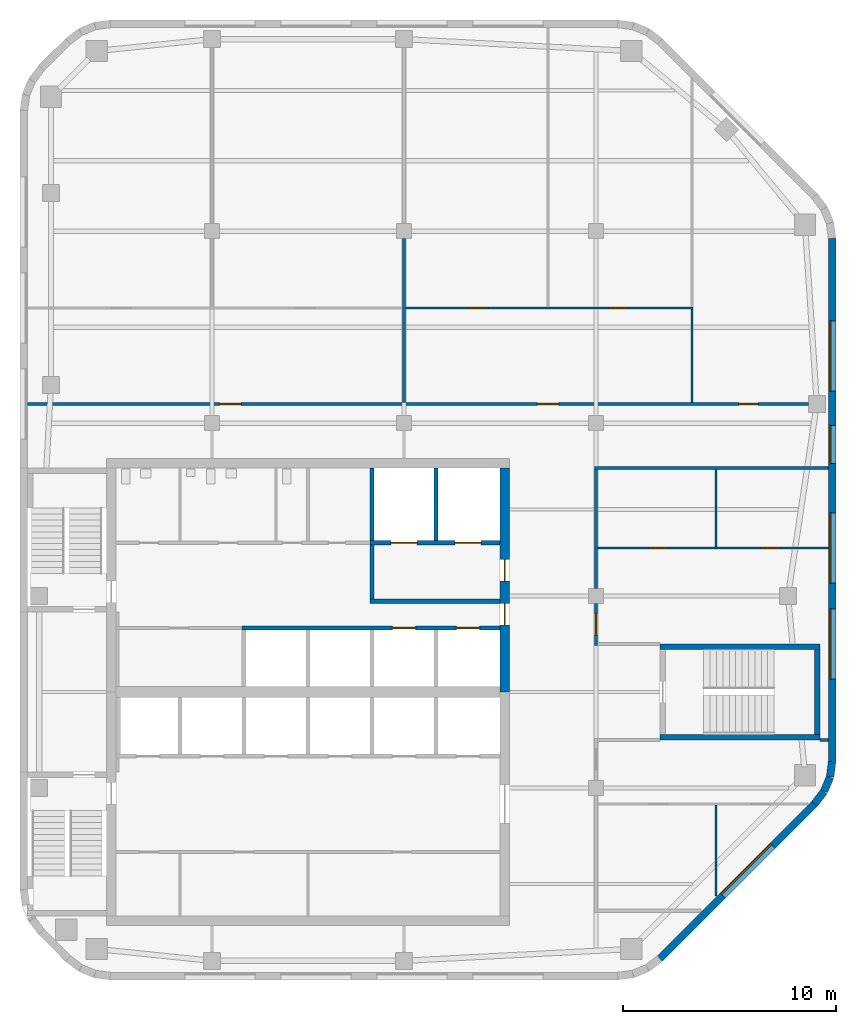
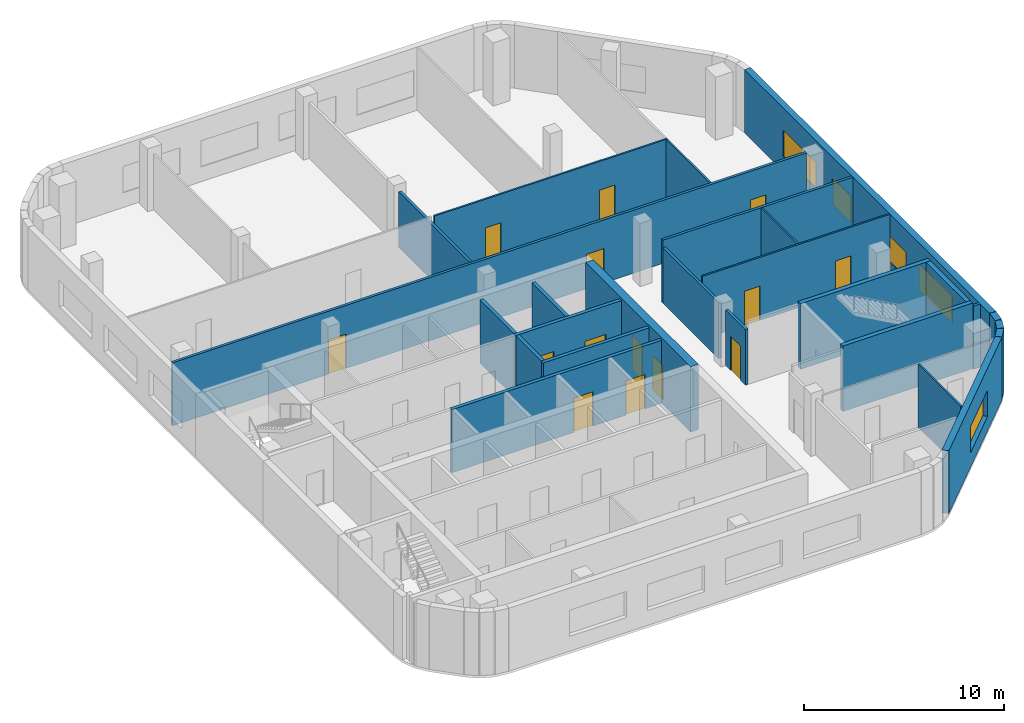
# One storey, part 4 of 7: 26 walls, 14 doors, 5 windows, 19 openings.
"""IFC4 building model written with IfcOpenShell, lengths in metres."""

from ifc_helpers import new_model, si_unit, direction, frame, frame_2d, origin, place, context, subcontext, project, spatial, rectangle, extrude, material, layer, layer_set, type_object, element, fill, save


model = new_model("IFC4")

# Units and contexts
model_context = context("Model", 3, precision=1e-05, world=origin(), true_north=direction((0.0, 1.0)))
body_context = subcontext(model_context, "Body", "Model", "MODEL_VIEW")
ifc_project = project(units=[si_unit("LENGTHUNIT", "METRE"), si_unit("AREAUNIT", "SQUARE_METRE"), si_unit("VOLUMEUNIT", "CUBIC_METRE"), si_unit("PLANEANGLEUNIT", "RADIAN"), si_unit("MASSUNIT", "GRAM", prefix="KILO")], contexts=[model_context])

# Site, building, storey
site_placement = place(None, origin())
site = spatial("IfcSite", under=ifc_project, at=site_placement, CompositionType="ELEMENT")
building_placement = place(site_placement, origin())
building = spatial("IfcBuilding", under=site, at=building_placement, Name="Cinnabar Reach Civic Tower", CompositionType="ELEMENT")
storey_placement = place(building_placement, frame((0.0, 0.0, 267.0)))
storey = spatial("IfcBuildingStorey", under=building, at=storey_placement, Name="L64", CompositionType="ELEMENT", Elevation=267.0)

# Walls
ifc_material_1 = material(Name="Facing brick with insulated backing", Category="masonry")
ifc_layer_1 = layer(ifc_material_1, 0.36)
ifc_layer_set_1 = layer_set([ifc_layer_1], Name="Brick corner wall")
wall_type_1 = type_object("IfcWallType", Name="Brick corner wall", PredefinedType="STANDARD", material=ifc_layer_set_1)
wall_1_placement = place(storey_placement, frame((37.2498, 26.2587, 0.0), z_axis=(0.0, 0.0, 1.0), x_axis=(0.608802368033, 0.793321924995, 0.0)))
element("IfcWall", 1, at=wall_1_placement, inside=storey, type_object=wall_type_1, Name="Brick corner wall", PredefinedType="STANDARD", context=body_context, shape_type="SweptSolid", body=[
    extrude(rectangle(XDim=0.7132, YDim=0.36, at=frame_2d((0.3566, 0.0))), origin(), (0.0, 0.0, 1.0), 3.85),
])
for number, where, z_axis, x_axis, name in (
    (2, (37.6952, 26.8439, 0.0), (0.0, 0.0, 1.0), (0.382702709855, 0.923871547278, 0.0), "Brick corner wall"),
    (3, (37.9739, 27.5244, 0.0), (0.0, 0.0, 1.0), (0.13055608231, 0.99144092581, 0.0), "Brick corner wall"),
):
    element("IfcWall", number, at=place(storey_placement, frame(where, z_axis=z_axis, x_axis=x_axis)), inside=storey, type_object=wall_type_1, Name=name, PredefinedType="STANDARD", context=body_context, shape_type="SweptSolid", body=[
        extrude(rectangle(XDim=0.7131, YDim=0.36, at=frame_2d((0.3565, 0.0))), origin(), (0.0, 0.0, 1.0), 3.85),
    ])

# Wall, opening, window
ifc_layer_2 = layer(ifc_material_1, 0.36)
ifc_layer_set_2 = layer_set([ifc_layer_2], Name="Brick pier and spandrel wall")
wall_type_2 = type_object("IfcWallType", Name="Brick pier and spandrel wall", PredefinedType="STANDARD", material=ifc_layer_set_2)
wall_2_placement = place(storey_placement, frame((30.0014, 19.006, 0.0), z_axis=(0.0, 0.0, 1.0), x_axis=(0.707106781187, 0.707106781187, 0.0)))
wall_2 = element("IfcWall", 4, at=wall_2_placement, inside=storey, type_object=wall_type_2, Name="Brick facade wall", PredefinedType="STANDARD", context=body_context, shape_type="SweptSolid", body=[
    extrude(rectangle(XDim=10.2426, YDim=0.36, at=frame_2d((5.1213, 0.0))), origin(), (0.0, 0.0, 1.0), 3.85),
])
opening_1_placement = place(wall_2_placement, frame((4.1713, 0.0, 0.9)))
opening_1 = element("IfcOpeningElement", 5, at=opening_1_placement, cuts=wall_2, Name="Opening W2266", PredefinedType="OPENING", context=body_context, shape_type="SweptSolid", body=[
    extrude(rectangle(XDim=3.3, YDim=1.6, at=frame_2d((1.65, 0.8))), frame((0.0, 0.19, 0.0), z_axis=(0.0, -1.0, 0.0), x_axis=(1.0, 0.0, 0.0)), (0.0, 0.0, 1.0), 0.38),
])
ifc_material_2 = material(Name="Clear double glazing in aluminium frame", Category="aluminium")
window_type_1 = type_object("IfcWindowType", Name="Deep-set window A", PartitioningType="SINGLE_PANEL", PredefinedType="WINDOW", material=ifc_material_2)
window_1_placement = place(opening_1_placement, origin())
window_1 = element("IfcWindow", 6, at=window_1_placement, inside=storey, type_object=window_type_1, Name="Window southeast face", OverallHeight=1.6, OverallWidth=3.3, PartitioningType="SINGLE_PANEL", PredefinedType="WINDOW", context=body_context, shape_type="SweptSolid", body=[
    extrude(rectangle(XDim=3.3, YDim=1.6, at=frame_2d((1.65, 0.8))), frame((0.0, 0.13, 0.0), z_axis=(0.0, -1.0, 0.0), x_axis=(1.0, 0.0, 0.0)), (0.0, 0.0, 1.0), 0.06),
])
fill(opening_1, window_1)

# Wall, openings, windows
wall_3_placement = place(storey_placement, frame((38.07, 28.2426, 0.0), z_axis=(0.0, 0.0, 1.0), x_axis=(0.0, 1.0, 0.0)))
wall_3 = element("IfcWall", 7, at=wall_3_placement, inside=storey, type_object=wall_type_2, Name="Brick facade wall", PredefinedType="STANDARD", context=body_context, shape_type="SweptSolid", body=[
    extrude(rectangle(XDim=24.5148, YDim=0.36, at=frame_2d((12.2574, 0.0))), origin(), (0.0, 0.0, 1.0), 3.85),
])
opening_2_placement = place(wall_3_placement, frame((3.8574, 0.0, 0.9)))
opening_2 = element("IfcOpeningElement", 8, at=opening_2_placement, cuts=wall_3, Name="Opening W2267", PredefinedType="OPENING", context=body_context, shape_type="SweptSolid", body=[
    extrude(rectangle(XDim=3.3, YDim=1.6, at=frame_2d((1.65, 0.8))), frame((0.0, 0.19, 0.0), z_axis=(0.0, -1.0, 0.0), x_axis=(1.0, 0.0, 0.0)), (0.0, 0.0, 1.0), 0.38),
])
opening_3_placement = place(wall_3_placement, frame((8.3574, 0.0, 0.9)))
opening_3 = element("IfcOpeningElement", 9, at=opening_3_placement, cuts=wall_3, Name="Opening W2268", PredefinedType="OPENING", context=body_context, shape_type="SweptSolid", body=[
    extrude(rectangle(XDim=3.3, YDim=1.6, at=frame_2d((1.65, 0.8))), frame((0.0, 0.19, 0.0), z_axis=(0.0, -1.0, 0.0), x_axis=(1.0, 0.0, 0.0)), (0.0, 0.0, 1.0), 0.38),
])
opening_4_placement = place(wall_3_placement, frame((13.9574, 0.0, 0.9)))
opening_4 = element("IfcOpeningElement", 10, at=opening_4_placement, cuts=wall_3, Name="Opening W2269", PredefinedType="OPENING", context=body_context, shape_type="SweptSolid", body=[
    extrude(rectangle(XDim=1.8, YDim=1.6, at=frame_2d((0.9, 0.8))), frame((0.0, 0.19, 0.0), z_axis=(0.0, -1.0, 0.0), x_axis=(1.0, 0.0, 0.0)), (0.0, 0.0, 1.0), 0.38),
])
opening_5_placement = place(wall_3_placement, frame((17.3574, 0.0, 0.9)))
opening_5 = element("IfcOpeningElement", 11, at=opening_5_placement, cuts=wall_3, Name="Opening W2270", PredefinedType="OPENING", context=body_context, shape_type="SweptSolid", body=[
    extrude(rectangle(XDim=3.3, YDim=1.6, at=frame_2d((1.65, 0.8))), frame((0.0, 0.19, 0.0), z_axis=(0.0, -1.0, 0.0), x_axis=(1.0, 0.0, 0.0)), (0.0, 0.0, 1.0), 0.38),
])
window_2_placement = place(opening_2_placement, origin())
window_2 = element("IfcWindow", 12, at=window_2_placement, inside=storey, type_object=window_type_1, Name="Window east face", OverallHeight=1.6, OverallWidth=3.3, PartitioningType="SINGLE_PANEL", PredefinedType="WINDOW", context=body_context, shape_type="SweptSolid", body=[
    extrude(rectangle(XDim=3.3, YDim=1.6, at=frame_2d((1.65, 0.8))), frame((0.0, 0.13, 0.0), z_axis=(0.0, -1.0, 0.0), x_axis=(1.0, 0.0, 0.0)), (0.0, 0.0, 1.0), 0.06),
])
fill(opening_2, window_2)
window_3_placement = place(opening_3_placement, origin())
window_3 = element("IfcWindow", 13, at=window_3_placement, inside=storey, type_object=window_type_1, Name="Window east face", OverallHeight=1.6, OverallWidth=3.3, PartitioningType="SINGLE_PANEL", PredefinedType="WINDOW", context=body_context, shape_type="SweptSolid", body=[
    extrude(rectangle(XDim=3.3, YDim=1.6, at=frame_2d((1.65, 0.8))), frame((0.0, 0.13, 0.0), z_axis=(0.0, -1.0, 0.0), x_axis=(1.0, 0.0, 0.0)), (0.0, 0.0, 1.0), 0.06),
])
fill(opening_3, window_3)
window_4_placement = place(opening_5_placement, origin())
window_4 = element("IfcWindow", 14, at=window_4_placement, inside=storey, type_object=window_type_1, Name="Window east face", OverallHeight=1.6, OverallWidth=3.3, PartitioningType="SINGLE_PANEL", PredefinedType="WINDOW", context=body_context, shape_type="SweptSolid", body=[
    extrude(rectangle(XDim=3.3, YDim=1.6, at=frame_2d((1.65, 0.8))), frame((0.0, 0.13, 0.0), z_axis=(0.0, -1.0, 0.0), x_axis=(1.0, 0.0, 0.0)), (0.0, 0.0, 1.0), 0.06),
])
fill(opening_5, window_4)
window_type_2 = type_object("IfcWindowType", Name="Deep-set window D", PartitioningType="SINGLE_PANEL", PredefinedType="WINDOW", material=ifc_material_2)
window_5_placement = place(opening_4_placement, origin())
window_5 = element("IfcWindow", 15, at=window_5_placement, inside=storey, type_object=window_type_2, Name="Window east face", OverallHeight=1.6, OverallWidth=1.8, PartitioningType="SINGLE_PANEL", PredefinedType="WINDOW", context=body_context, shape_type="SweptSolid", body=[
    extrude(rectangle(XDim=1.8, YDim=1.6, at=frame_2d((0.9, 0.8))), frame((0.0, 0.13, 0.0), z_axis=(0.0, -1.0, 0.0), x_axis=(1.0, 0.0, 0.0)), (0.0, 0.0, 1.0), 0.06),
])
fill(opening_4, window_5)

# Wall, openings, doors
ifc_material_3 = material(Name="Concrete C60", Category="concrete")
ifc_layer_3 = layer(ifc_material_3, 0.45)
ifc_layer_set_3 = layer_set([ifc_layer_3], Name="Core wall 450 EI 180")
wall_type_3 = type_object("IfcWallType", Name="Core wall 450 EI 180", PredefinedType="SOLIDWALL", material=ifc_layer_set_3)
wall_4_placement = place(storey_placement, frame((22.725, 31.5, 0.0), z_axis=(0.0, 0.0, 1.0), x_axis=(0.0, 1.0, 0.0)))
wall_4 = element("IfcWall", 16, at=wall_4_placement, inside=storey, type_object=wall_type_3, Name="Core wall T1 L64 E2", PredefinedType="SOLIDWALL", context=body_context, shape_type="SweptSolid", body=[
    extrude(rectangle(XDim=10.5, YDim=0.45, at=frame_2d((5.25, 0.0))), origin(), (0.0, 0.0, 1.0), 4.0),
])
opening_6_placement = place(wall_4_placement, frame((3.15, 0.0, 0.0)))
opening_6 = element("IfcOpeningElement", 17, at=opening_6_placement, cuts=wall_4, Name="Opening D5560", PredefinedType="OPENING", context=body_context, shape_type="SweptSolid", body=[
    extrude(rectangle(XDim=1.0, YDim=2.1, at=frame_2d((0.5, 1.05))), frame((0.0, 0.235, 0.0), z_axis=(0.0, -1.0, 0.0), x_axis=(1.0, 0.0, 0.0)), (0.0, 0.0, 1.0), 0.47),
])
opening_7_placement = place(wall_4_placement, frame((5.2, 0.0, 0.0)))
opening_7 = element("IfcOpeningElement", 18, at=opening_7_placement, cuts=wall_4, Name="Opening D5561", PredefinedType="OPENING", context=body_context, shape_type="SweptSolid", body=[
    extrude(rectangle(XDim=1.0, YDim=2.1, at=frame_2d((0.5, 1.05))), frame((0.0, 0.235, 0.0), z_axis=(0.0, -1.0, 0.0), x_axis=(1.0, 0.0, 0.0)), (0.0, 0.0, 1.0), 0.47),
])
ifc_material_4 = material(Name="Timber door leaf in steel frame", Category="steel")
door_type_1 = type_object("IfcDoorType", Name="Firefighting lobby door 1000 x 2100 T1", OperationType="SINGLE_SWING_LEFT", PredefinedType="DOOR", material=ifc_material_4)
door_1_placement = place(opening_7_placement, origin())
door_1 = element("IfcDoor", 19, at=door_1_placement, inside=storey, type_object=door_type_1, Name="Door D5561", OperationType="SINGLE_SWING_LEFT", OverallHeight=2.1, OverallWidth=1.0, PredefinedType="DOOR", context=body_context, shape_type="SweptSolid", body=[
    extrude(rectangle(XDim=1.0, YDim=2.1, at=frame_2d((0.5, 1.05))), frame((0.0, 0.025, 0.0), z_axis=(0.0, -1.0, 0.0), x_axis=(1.0, 0.0, 0.0)), (0.0, 0.0, 1.0), 0.05),
])
fill(opening_7, door_1)
door_type_2 = type_object("IfcDoorType", Name="Single swing door 1000 x 2100 T1", OperationType="SINGLE_SWING_LEFT", PredefinedType="DOOR", material=ifc_material_4)
door_2_placement = place(opening_6_placement, origin())
door_2 = element("IfcDoor", 20, at=door_2_placement, inside=storey, type_object=door_type_2, Name="Door D5560", OperationType="SINGLE_SWING_RIGHT", OverallHeight=2.1, OverallWidth=1.0, PredefinedType="DOOR", context=body_context, shape_type="SweptSolid", body=[
    extrude(rectangle(XDim=1.0, YDim=2.1, at=frame_2d((0.5, 1.05))), frame((0.0, 0.025, 0.0), z_axis=(0.0, -1.0, 0.0), x_axis=(1.0, 0.0, 0.0)), (0.0, 0.0, 1.0), 0.05),
])
fill(opening_6, door_2)

ifc_material_5 = material(Name="Gypsum board on steel studs, double layer", Category="steel")
ifc_layer_4 = layer(ifc_material_5, 0.15)
ifc_layer_set_4 = layer_set([ifc_layer_4], Name="Corridor wall 150 T1")
wall_type_4 = type_object("IfcWallType", Name="Corridor wall 150 T1", PredefinedType="PARTITIONING", material=ifc_layer_set_4)
wall_5_placement = place(storey_placement, frame((0.36, 45.0, 0.0), z_axis=(0.0, 0.0, 1.0), x_axis=(1.0, 0.0, 0.0)))
wall_5 = element("IfcWall", 21, at=wall_5_placement, inside=storey, type_object=wall_type_4, Name="Corridor wall 18", PredefinedType="PARTITIONING", context=body_context, shape_type="SweptSolid", body=[
    extrude(rectangle(XDim=36.59, YDim=0.15, at=frame_2d((18.295, 0.0))), origin(), (0.0, 0.0, 1.0), 3.85),
])
opening_8_placement = place(wall_5_placement, frame((9.0, 0.0, 0.0)))
opening_8 = element("IfcOpeningElement", 22, at=opening_8_placement, cuts=wall_5, Name="Opening D5577", PredefinedType="OPENING", context=body_context, shape_type="SweptSolid", body=[
    extrude(rectangle(XDim=1.0, YDim=2.1, at=frame_2d((0.5, 1.05))), frame((0.0, 0.085, 0.0), z_axis=(0.0, -1.0, 0.0), x_axis=(1.0, 0.0, 0.0)), (0.0, 0.0, 1.0), 0.17),
])
opening_9_placement = place(wall_5_placement, frame((23.89, 0.0, 0.0)))
opening_9 = element("IfcOpeningElement", 23, at=opening_9_placement, cuts=wall_5, Name="Opening D5580", PredefinedType="OPENING", context=body_context, shape_type="SweptSolid", body=[
    extrude(rectangle(XDim=1.0, YDim=2.1, at=frame_2d((0.5, 1.05))), frame((0.0, 0.085, 0.0), z_axis=(0.0, -1.0, 0.0), x_axis=(1.0, 0.0, 0.0)), (0.0, 0.0, 1.0), 0.17),
])
opening_10_placement = place(wall_5_placement, frame((33.34, 0.0, 0.0)))
opening_10 = element("IfcOpeningElement", 24, at=opening_10_placement, cuts=wall_5, Name="Opening D5583", PredefinedType="OPENING", context=body_context, shape_type="SweptSolid", body=[
    extrude(rectangle(XDim=0.9, YDim=2.1, at=frame_2d((0.45, 1.05))), frame((0.0, 0.085, 0.0), z_axis=(0.0, -1.0, 0.0), x_axis=(1.0, 0.0, 0.0)), (0.0, 0.0, 1.0), 0.17),
])
door_type_3 = type_object("IfcDoorType", Name="Single swing door 900 x 2100 corridor T1", OperationType="SINGLE_SWING_LEFT", PredefinedType="DOOR", material=ifc_material_4)
door_3_placement = place(opening_10_placement, origin())
door_3 = element("IfcDoor", 25, at=door_3_placement, inside=storey, type_object=door_type_3, Name="Door D5583", OperationType="SINGLE_SWING_RIGHT", OverallHeight=2.1, OverallWidth=0.9, PredefinedType="DOOR", context=body_context, shape_type="SweptSolid", body=[
    extrude(rectangle(XDim=0.9, YDim=2.1, at=frame_2d((0.45, 1.05))), frame((0.0, 0.025, 0.0), z_axis=(0.0, -1.0, 0.0), x_axis=(1.0, 0.0, 0.0)), (0.0, 0.0, 1.0), 0.05),
])
fill(opening_10, door_3)
door_type_4 = type_object("IfcDoorType", Name="Tenancy entrance door 1000 x 2100 T1", OperationType="SINGLE_SWING_LEFT", PredefinedType="DOOR", material=ifc_material_4)
door_4_placement = place(opening_8_placement, origin())
door_4 = element("IfcDoor", 26, at=door_4_placement, inside=storey, type_object=door_type_4, Name="Door D5577", OperationType="SINGLE_SWING_RIGHT", OverallHeight=2.1, OverallWidth=1.0, PredefinedType="DOOR", context=body_context, shape_type="SweptSolid", body=[
    extrude(rectangle(XDim=1.0, YDim=2.1, at=frame_2d((0.5, 1.05))), frame((0.0, 0.025, 0.0), z_axis=(0.0, -1.0, 0.0), x_axis=(1.0, 0.0, 0.0)), (0.0, 0.0, 1.0), 0.05),
])
fill(opening_8, door_4)
door_5_placement = place(opening_9_placement, origin())
door_5 = element("IfcDoor", 27, at=door_5_placement, inside=storey, type_object=door_type_4, Name="Door D5580", OperationType="SINGLE_SWING_RIGHT", OverallHeight=2.1, OverallWidth=1.0, PredefinedType="DOOR", context=body_context, shape_type="SweptSolid", body=[
    extrude(rectangle(XDim=1.0, YDim=2.1, at=frame_2d((0.5, 1.05))), frame((0.0, 0.025, 0.0), z_axis=(0.0, -1.0, 0.0), x_axis=(1.0, 0.0, 0.0)), (0.0, 0.0, 1.0), 0.05),
])
fill(opening_9, door_5)

# Wall
wall_6_placement = place(storey_placement, frame((26.925, 42.0, 0.0), z_axis=(0.0, 0.0, 1.0), x_axis=(1.0, 0.0, 0.0)))
element("IfcWall", 28, at=wall_6_placement, inside=storey, type_object=wall_type_4, Name="Corridor wall 21", PredefinedType="PARTITIONING", context=body_context, shape_type="SweptSolid", body=[
    extrude(rectangle(XDim=10.965, YDim=0.15, at=frame_2d((5.4825, 0.0))), origin(), (0.0, 0.0, 1.0), 3.85),
])

# Wall, opening, door
wall_7_placement = place(storey_placement, frame((27.0, 33.675, 0.0), z_axis=(0.0, 0.0, 1.0), x_axis=(0.0, 1.0, 0.0)))
wall_7 = element("IfcWall", 29, at=wall_7_placement, inside=storey, type_object=wall_type_4, Name="Corridor wall 22", PredefinedType="PARTITIONING", context=body_context, shape_type="SweptSolid", body=[
    extrude(rectangle(XDim=1.975, YDim=0.15, at=frame_2d((0.9875, 0.0))), origin(), (0.0, 0.0, 1.0), 3.4),
])
opening_11_placement = place(wall_7_placement, frame((0.5, 0.0, 0.0)))
opening_11 = element("IfcOpeningElement", 30, at=opening_11_placement, cuts=wall_7, Name="Opening D5571", PredefinedType="OPENING", context=body_context, shape_type="SweptSolid", body=[
    extrude(rectangle(XDim=1.0, YDim=2.1, at=frame_2d((0.5, 1.05))), frame((0.0, 0.085, 0.0), z_axis=(0.0, -1.0, 0.0), x_axis=(1.0, 0.0, 0.0)), (0.0, 0.0, 1.0), 0.17),
])
door_6_placement = place(opening_11_placement, frame((1.0, 0.0, 0.0), z_axis=(0.0, 0.0, 1.0), x_axis=(-1.0, 0.0, 0.0)))
door_6 = element("IfcDoor", 31, at=door_6_placement, inside=storey, type_object=door_type_4, Name="Door D5571", OperationType="SINGLE_SWING_RIGHT", OverallHeight=2.1, OverallWidth=1.0, PredefinedType="DOOR", context=body_context, shape_type="SweptSolid", body=[
    extrude(rectangle(XDim=1.0, YDim=2.1, at=frame_2d((0.5, 1.05))), frame((0.0, 0.025, 0.0), z_axis=(0.0, -1.0, 0.0), x_axis=(1.0, 0.0, 0.0)), (0.0, 0.0, 1.0), 0.05),
])
fill(opening_11, door_6)

# Wall
wall_8_placement = place(storey_placement, frame((27.0, 36.35, 0.0), z_axis=(0.0, 0.0, 1.0), x_axis=(0.0, 1.0, 0.0)))
element("IfcWall", 32, at=wall_8_placement, inside=storey, type_object=wall_type_4, Name="Corridor wall 23", PredefinedType="PARTITIONING", context=body_context, shape_type="SweptSolid", body=[
    extrude(rectangle(XDim=5.575, YDim=0.15, at=frame_2d((2.7875, 0.0))), origin(), (0.0, 0.0, 1.0), 3.4),
])

# Wall, openings, doors
ifc_material_6 = material(Name="Blockwork", Category="masonry")
ifc_layer_5 = layer(ifc_material_6, 0.2)
ifc_layer_set_5 = layer_set([ifc_layer_5], Name="Lift shaft wall 200 T1")
wall_type_5 = type_object("IfcWallType", Name="Lift shaft wall 200 T1", PredefinedType="PARTITIONING", material=ifc_layer_set_5)
wall_9_placement = place(storey_placement, frame((10.4, 34.5, 0.0), z_axis=(0.0, 0.0, 1.0), x_axis=(1.0, 0.0, 0.0)))
wall_9 = element("IfcWall", 33, at=wall_9_placement, inside=storey, type_object=wall_type_5, Name="Lift shaft wall 5", PredefinedType="PARTITIONING", context=body_context, shape_type="SweptSolid", body=[
    extrude(rectangle(XDim=12.1, YDim=0.2, at=frame_2d((6.05, 0.0))), origin(), (0.0, 0.0, 1.0), 3.85),
])
opening_12_placement = place(wall_9_placement, frame((7.05, 0.0, 0.0)))
opening_12 = element("IfcOpeningElement", 34, at=opening_12_placement, cuts=wall_9, Name="Opening D5555", PredefinedType="OPENING", context=body_context, shape_type="SweptSolid", body=[
    extrude(rectangle(XDim=1.1, YDim=2.1, at=frame_2d((0.55, 1.05))), frame((0.0, 0.11, 0.0), z_axis=(0.0, -1.0, 0.0), x_axis=(1.0, 0.0, 0.0)), (0.0, 0.0, 1.0), 0.22),
])
opening_13_placement = place(wall_9_placement, frame((10.05, 0.0, 0.0)))
opening_13 = element("IfcOpeningElement", 35, at=opening_13_placement, cuts=wall_9, Name="Opening D5556", PredefinedType="OPENING", context=body_context, shape_type="SweptSolid", body=[
    extrude(rectangle(XDim=1.1, YDim=2.1, at=frame_2d((0.55, 1.05))), frame((0.0, 0.11, 0.0), z_axis=(0.0, -1.0, 0.0), x_axis=(1.0, 0.0, 0.0)), (0.0, 0.0, 1.0), 0.22),
])
ifc_material_7 = material(Name="Stainless steel sliding door", Category="steel")
door_type_5 = type_object("IfcDoorType", Name="Lift landing door 1100 x 2100 T1", OperationType="SLIDING_TO_LEFT", PredefinedType="DOOR", material=ifc_material_7)
door_7_placement = place(opening_12_placement, origin())
door_7 = element("IfcDoor", 36, at=door_7_placement, inside=storey, type_object=door_type_5, Name="Lift landing door SV1 L64", OperationType="SLIDING_TO_LEFT", OverallHeight=2.1, OverallWidth=1.1, PredefinedType="DOOR", context=body_context, shape_type="SweptSolid", body=[
    extrude(rectangle(XDim=1.1, YDim=2.1, at=frame_2d((0.55, 1.05))), frame((0.0, 0.025, 0.0), z_axis=(0.0, -1.0, 0.0), x_axis=(1.0, 0.0, 0.0)), (0.0, 0.0, 1.0), 0.05),
])
fill(opening_12, door_7)
door_8_placement = place(opening_13_placement, origin())
door_8 = element("IfcDoor", 37, at=door_8_placement, inside=storey, type_object=door_type_5, Name="Lift landing door SV2 L64", OperationType="SLIDING_TO_LEFT", OverallHeight=2.1, OverallWidth=1.1, PredefinedType="DOOR", context=body_context, shape_type="SweptSolid", body=[
    extrude(rectangle(XDim=1.1, YDim=2.1, at=frame_2d((0.55, 1.05))), frame((0.0, 0.025, 0.0), z_axis=(0.0, -1.0, 0.0), x_axis=(1.0, 0.0, 0.0)), (0.0, 0.0, 1.0), 0.05),
])
fill(opening_13, door_8)

# Walls
for number, where, z_axis, x_axis, name in (
    (38, (16.5, 38.6, 0.0), (0.0, 0.0, 1.0), (0.0, 1.0, 0.0), "Lift shaft wall 14"),
    (39, (19.5, 38.6, 0.0), (0.0, 0.0, 1.0), (0.0, 1.0, 0.0), "Lift shaft wall 15"),
):
    element("IfcWall", number, at=place(storey_placement, frame(where, z_axis=z_axis, x_axis=x_axis)), inside=storey, type_object=wall_type_5, Name=name, PredefinedType="PARTITIONING", context=body_context, shape_type="SweptSolid", body=[
        extrude(rectangle(XDim=3.4, YDim=0.2, at=frame_2d((1.7, 0.0))), origin(), (0.0, 0.0, 1.0), 3.85),
    ])

# Wall, openings, doors
ifc_material_8 = material(Name="Gypsum board on steel studs", Category="steel")
ifc_layer_6 = layer(ifc_material_8, 0.1)
ifc_layer_set_6 = layer_set([ifc_layer_6], Name="Partition wall 100 T1")
wall_type_6 = type_object("IfcWallType", Name="Partition wall 100 T1", PredefinedType="PARTITIONING", material=ifc_layer_set_6)
wall_10_placement = place(storey_placement, frame((18.075, 49.5, 0.0), z_axis=(0.0, 0.0, 1.0), x_axis=(1.0, 0.0, 0.0)))
wall_10 = element("IfcWall", 40, at=wall_10_placement, inside=storey, type_object=wall_type_6, Name="Partition wall 37", PredefinedType="PARTITIONING", context=body_context, shape_type="SweptSolid", body=[
    extrude(rectangle(XDim=13.475, YDim=0.1, at=frame_2d((6.7375, 0.0))), origin(), (0.0, 0.0, 1.0), 3.85),
])
opening_14_placement = place(wall_10_placement, frame((2.95, 0.0, 0.0)))
opening_14 = element("IfcOpeningElement", 41, at=opening_14_placement, cuts=wall_10, Name="Opening D5581", PredefinedType="OPENING", context=body_context, shape_type="SweptSolid", body=[
    extrude(rectangle(XDim=0.9, YDim=2.1, at=frame_2d((0.45, 1.05))), frame((0.0, 0.06, 0.0), z_axis=(0.0, -1.0, 0.0), x_axis=(1.0, 0.0, 0.0)), (0.0, 0.0, 1.0), 0.12),
])
opening_15_placement = place(wall_10_placement, frame((9.525, 0.0, 0.0)))
opening_15 = element("IfcOpeningElement", 42, at=opening_15_placement, cuts=wall_10, Name="Opening D5582", PredefinedType="OPENING", context=body_context, shape_type="SweptSolid", body=[
    extrude(rectangle(XDim=0.9, YDim=2.1, at=frame_2d((0.45, 1.05))), frame((0.0, 0.06, 0.0), z_axis=(0.0, -1.0, 0.0), x_axis=(1.0, 0.0, 0.0)), (0.0, 0.0, 1.0), 0.12),
])
door_type_6 = type_object("IfcDoorType", Name="Single swing door 900 x 2100 T1", OperationType="SINGLE_SWING_LEFT", PredefinedType="DOOR", material=ifc_material_4)
door_9_placement = place(opening_14_placement, frame((0.9, 0.0, 0.0), z_axis=(0.0, 0.0, 1.0), x_axis=(-1.0, 0.0, 0.0)))
door_9 = element("IfcDoor", 43, at=door_9_placement, inside=storey, type_object=door_type_6, Name="Door D5581", OperationType="SINGLE_SWING_LEFT", OverallHeight=2.1, OverallWidth=0.9, PredefinedType="DOOR", context=body_context, shape_type="SweptSolid", body=[
    extrude(rectangle(XDim=0.9, YDim=2.1, at=frame_2d((0.45, 1.05))), frame((0.0, 0.025, 0.0), z_axis=(0.0, -1.0, 0.0), x_axis=(1.0, 0.0, 0.0)), (0.0, 0.0, 1.0), 0.05),
])
fill(opening_14, door_9)
door_10_placement = place(opening_15_placement, frame((0.9, 0.0, 0.0), z_axis=(0.0, 0.0, 1.0), x_axis=(-1.0, 0.0, 0.0)))
door_10 = element("IfcDoor", 44, at=door_10_placement, inside=storey, type_object=door_type_6, Name="Door D5582", OperationType="SINGLE_SWING_LEFT", OverallHeight=2.1, OverallWidth=0.9, PredefinedType="DOOR", context=body_context, shape_type="SweptSolid", body=[
    extrude(rectangle(XDim=0.9, YDim=2.1, at=frame_2d((0.45, 1.05))), frame((0.0, 0.025, 0.0), z_axis=(0.0, -1.0, 0.0), x_axis=(1.0, 0.0, 0.0)), (0.0, 0.0, 1.0), 0.05),
])
fill(opening_15, door_10)

# Wall
wall_11_placement = place(storey_placement, frame((31.5, 45.075, 0.0), z_axis=(0.0, 0.0, 1.0), x_axis=(0.0, 1.0, 0.0)))
element("IfcWall", 45, at=wall_11_placement, inside=storey, type_object=wall_type_6, Name="Partition wall 39", PredefinedType="PARTITIONING", context=body_context, shape_type="SweptSolid", body=[
    extrude(rectangle(XDim=4.375, YDim=0.1, at=frame_2d((2.1875, 0.0))), origin(), (0.0, 0.0, 1.0), 3.85),
])

# Wall, openings, doors
wall_12_placement = place(storey_placement, frame((27.075, 38.25, 0.0), z_axis=(0.0, 0.0, 1.0), x_axis=(1.0, 0.0, 0.0)))
wall_12 = element("IfcWall", 46, at=wall_12_placement, inside=storey, type_object=wall_type_6, Name="Partition wall 44", PredefinedType="PARTITIONING", context=body_context, shape_type="SweptSolid", body=[
    extrude(rectangle(XDim=10.815, YDim=0.1, at=frame_2d((5.4075, 0.0))), origin(), (0.0, 0.0, 1.0), 3.85),
])
opening_16_placement = place(wall_12_placement, frame((2.4, 0.0, 0.0)))
opening_16 = element("IfcOpeningElement", 47, at=opening_16_placement, cuts=wall_12, Name="Opening D5572", PredefinedType="OPENING", context=body_context, shape_type="SweptSolid", body=[
    extrude(rectangle(XDim=0.9, YDim=2.1, at=frame_2d((0.45, 1.05))), frame((0.0, 0.06, 0.0), z_axis=(0.0, -1.0, 0.0), x_axis=(1.0, 0.0, 0.0)), (0.0, 0.0, 1.0), 0.12),
])
opening_17_placement = place(wall_12_placement, frame((7.65, 0.0, 0.0)))
opening_17 = element("IfcOpeningElement", 48, at=opening_17_placement, cuts=wall_12, Name="Opening D5573", PredefinedType="OPENING", context=body_context, shape_type="SweptSolid", body=[
    extrude(rectangle(XDim=0.9, YDim=2.1, at=frame_2d((0.45, 1.05))), frame((0.0, 0.06, 0.0), z_axis=(0.0, -1.0, 0.0), x_axis=(1.0, 0.0, 0.0)), (0.0, 0.0, 1.0), 0.12),
])
door_11_placement = place(opening_16_placement, origin())
door_11 = element("IfcDoor", 49, at=door_11_placement, inside=storey, type_object=door_type_6, Name="Door D5572", OperationType="SINGLE_SWING_LEFT", OverallHeight=2.1, OverallWidth=0.9, PredefinedType="DOOR", context=body_context, shape_type="SweptSolid", body=[
    extrude(rectangle(XDim=0.9, YDim=2.1, at=frame_2d((0.45, 1.05))), frame((0.0, 0.025, 0.0), z_axis=(0.0, -1.0, 0.0), x_axis=(1.0, 0.0, 0.0)), (0.0, 0.0, 1.0), 0.05),
])
fill(opening_16, door_11)
door_12_placement = place(opening_17_placement, origin())
door_12 = element("IfcDoor", 50, at=door_12_placement, inside=storey, type_object=door_type_6, Name="Door D5573", OperationType="SINGLE_SWING_RIGHT", OverallHeight=2.1, OverallWidth=0.9, PredefinedType="DOOR", context=body_context, shape_type="SweptSolid", body=[
    extrude(rectangle(XDim=0.9, YDim=2.1, at=frame_2d((0.45, 1.05))), frame((0.0, 0.025, 0.0), z_axis=(0.0, -1.0, 0.0), x_axis=(1.0, 0.0, 0.0)), (0.0, 0.0, 1.0), 0.05),
])
fill(opening_17, door_12)

# Walls
wall_13_placement = place(storey_placement, frame((32.625, 21.9341, 0.0), z_axis=(0.0, 0.0, 1.0), x_axis=(0.0, 1.0, 0.0)))
element("IfcWall", 51, at=wall_13_placement, inside=storey, type_object=wall_type_6, Name="Partition wall 46", PredefinedType="PARTITIONING", context=body_context, shape_type="SweptSolid", body=[
    extrude(rectangle(XDim=4.2659, YDim=0.1, at=frame_2d((2.133, 0.0))), origin(), (0.0, 0.0, 1.0), 3.85),
])
wall_14_placement = place(storey_placement, frame((32.625, 38.3, 0.0), z_axis=(0.0, 0.0, 1.0), x_axis=(0.0, 1.0, 0.0)))
element("IfcWall", 52, at=wall_14_placement, inside=storey, type_object=wall_type_6, Name="Partition wall 47", PredefinedType="PARTITIONING", context=body_context, shape_type="SweptSolid", body=[
    extrude(rectangle(XDim=3.625, YDim=0.1, at=frame_2d((1.8125, 0.0))), origin(), (0.0, 0.0, 1.0), 3.85),
])
ifc_material_9 = material(Name="Concrete C40", Category="concrete")
ifc_layer_7 = layer(ifc_material_9, 0.2)
ifc_layer_set_7 = layer_set([ifc_layer_7], Name="Refuge compartment wall 200 T1")
wall_type_7 = type_object("IfcWallType", Name="Refuge compartment wall 200 T1", PredefinedType="PARTITIONING", material=ifc_layer_set_7)
wall_15_placement = place(storey_placement, frame((16.4, 35.75, 0.0), z_axis=(0.0, 0.0, 1.0), x_axis=(1.0, 0.0, 0.0)))
element("IfcWall", 53, at=wall_15_placement, inside=storey, type_object=wall_type_7, Name="Refuge compartment wall 1", PredefinedType="PARTITIONING", context=body_context, shape_type="SweptSolid", body=[
    extrude(rectangle(XDim=6.1, YDim=0.2, at=frame_2d((3.05, 0.0))), origin(), (0.0, 0.0, 1.0), 3.85),
])

# Wall, openings, doors
wall_16_placement = place(storey_placement, frame((16.4, 38.5, 0.0), z_axis=(0.0, 0.0, 1.0), x_axis=(1.0, 0.0, 0.0)))
wall_16 = element("IfcWall", 54, at=wall_16_placement, inside=storey, type_object=wall_type_7, Name="Refuge compartment wall 2", PredefinedType="PARTITIONING", context=body_context, shape_type="SweptSolid", body=[
    extrude(rectangle(XDim=6.1, YDim=0.2, at=frame_2d((3.05, 0.0))), origin(), (0.0, 0.0, 1.0), 3.85),
])
opening_18_placement = place(wall_16_placement, frame((1.0, 0.0, 0.0)))
opening_18 = element("IfcOpeningElement", 55, at=opening_18_placement, cuts=wall_16, Name="Opening D5557", PredefinedType="OPENING", context=body_context, shape_type="SweptSolid", body=[
    extrude(rectangle(XDim=1.2, YDim=2.1, at=frame_2d((0.6, 1.05))), frame((0.0, 0.11, 0.0), z_axis=(0.0, -1.0, 0.0), x_axis=(1.0, 0.0, 0.0)), (0.0, 0.0, 1.0), 0.22),
])
opening_19_placement = place(wall_16_placement, frame((4.0, 0.0, 0.0)))
opening_19 = element("IfcOpeningElement", 56, at=opening_19_placement, cuts=wall_16, Name="Opening D5558", PredefinedType="OPENING", context=body_context, shape_type="SweptSolid", body=[
    extrude(rectangle(XDim=1.2, YDim=2.1, at=frame_2d((0.6, 1.05))), frame((0.0, 0.11, 0.0), z_axis=(0.0, -1.0, 0.0), x_axis=(1.0, 0.0, 0.0)), (0.0, 0.0, 1.0), 0.22),
])
door_type_7 = type_object("IfcDoorType", Name="Firefighting lift landing door 1200 x 2100 T1", OperationType="SLIDING_TO_LEFT", PredefinedType="DOOR", material=ifc_material_7)
door_13_placement = place(opening_18_placement, origin())
door_13 = element("IfcDoor", 57, at=door_13_placement, inside=storey, type_object=door_type_7, Name="Lift landing door FF1 L64", OperationType="SLIDING_TO_LEFT", OverallHeight=2.1, OverallWidth=1.2, PredefinedType="DOOR", context=body_context, shape_type="SweptSolid", body=[
    extrude(rectangle(XDim=1.2, YDim=2.1, at=frame_2d((0.6, 1.05))), frame((0.0, 0.025, 0.0), z_axis=(0.0, -1.0, 0.0), x_axis=(1.0, 0.0, 0.0)), (0.0, 0.0, 1.0), 0.05),
])
fill(opening_18, door_13)
door_14_placement = place(opening_19_placement, origin())
door_14 = element("IfcDoor", 58, at=door_14_placement, inside=storey, type_object=door_type_7, Name="Lift landing door FF2 L64", OperationType="SLIDING_TO_LEFT", OverallHeight=2.1, OverallWidth=1.2, PredefinedType="DOOR", context=body_context, shape_type="SweptSolid", body=[
    extrude(rectangle(XDim=1.2, YDim=2.1, at=frame_2d((0.6, 1.05))), frame((0.0, 0.025, 0.0), z_axis=(0.0, -1.0, 0.0), x_axis=(1.0, 0.0, 0.0)), (0.0, 0.0, 1.0), 0.05),
])
fill(opening_19, door_14)

# Walls
wall_17_placement = place(storey_placement, frame((16.5, 35.85, 0.0), z_axis=(0.0, 0.0, 1.0), x_axis=(0.0, 1.0, 0.0)))
element("IfcWall", 59, at=wall_17_placement, inside=storey, type_object=wall_type_7, Name="Refuge compartment wall 3", PredefinedType="PARTITIONING", context=body_context, shape_type="SweptSolid", body=[
    extrude(rectangle(XDim=2.55, YDim=0.2, at=frame_2d((1.275, 0.0))), origin(), (0.0, 0.0, 1.0), 3.85),
])
ifc_layer_8 = layer(ifc_material_3, 0.25)
ifc_layer_set_8 = layer_set([ifc_layer_8], Name="Stair shaft wall 250 EI 120")
wall_type_8 = type_object("IfcWallType", Name="Stair shaft wall 250 EI 120", PredefinedType="SOLIDWALL", material=ifc_layer_set_8)
for number, where, z_axis, x_axis, name in (
    (60, (30.0, 29.375, 0.0), (0.0, 0.0, 1.0), (1.0, 0.0, 0.0), "Stair shaft wall T1-S3 L64"),
    (61, (37.5, 33.625, 0.0), (0.0, 0.0, 1.0), (-1.0, 0.0, 0.0), "Stair shaft wall T1-S3 L64"),
):
    element("IfcWall", number, at=place(storey_placement, frame(where, z_axis=z_axis, x_axis=x_axis)), inside=storey, type_object=wall_type_8, Name=name, PredefinedType="SOLIDWALL", context=body_context, shape_type="SweptSolid", body=[
        extrude(rectangle(XDim=7.5, YDim=0.25, at=frame_2d((3.75, 0.0))), origin(), (0.0, 0.0, 1.0), 4.0),
    ])
wall_18_placement = place(storey_placement, frame((37.375, 29.5, 0.0), z_axis=(0.0, 0.0, 1.0), x_axis=(0.0, 1.0, 0.0)))
element("IfcWall", 62, at=wall_18_placement, inside=storey, type_object=wall_type_8, Name="Stair shaft wall T1-S3 L64", PredefinedType="SOLIDWALL", context=body_context, shape_type="SweptSolid", body=[
    extrude(rectangle(XDim=4.0, YDim=0.25, at=frame_2d((2.0, 0.0))), origin(), (0.0, 0.0, 1.0), 4.0),
])
ifc_layer_9 = layer(ifc_material_5, 0.15)
ifc_layer_set_9 = layer_set([ifc_layer_9], Name="Tenancy separating wall 150 T1")
wall_type_9 = type_object("IfcWallType", Name="Tenancy separating wall 150 T1", PredefinedType="PARTITIONING", material=ifc_layer_set_9)
wall_19_placement = place(storey_placement, frame((18.0, 45.075, 0.0), z_axis=(0.0, 0.0, 1.0), x_axis=(0.0, 1.0, 0.0)))
element("IfcWall", 63, at=wall_19_placement, inside=storey, type_object=wall_type_9, Name="Tenancy separating wall 34", PredefinedType="PARTITIONING", context=body_context, shape_type="SweptSolid", body=[
    extrude(rectangle(XDim=7.675, YDim=0.15, at=frame_2d((3.8375, 0.0))), origin(), (0.0, 0.0, 1.0), 3.4),
])
wall_20_placement = place(storey_placement, frame((37.5, 29.25, 0.0), z_axis=(0.0, 0.0, 1.0), x_axis=(1.0, 0.0, 0.0)))
element("IfcWall", 64, at=wall_20_placement, inside=storey, type_object=wall_type_9, Name="Tenancy separating wall 36", PredefinedType="PARTITIONING", context=body_context, shape_type="SweptSolid", body=[
    extrude(rectangle(XDim=0.39, YDim=0.15, at=frame_2d((0.195, 0.0))), origin(), (0.0, 0.0, 1.0), 3.85),
])

save(model, "model.ifc")
